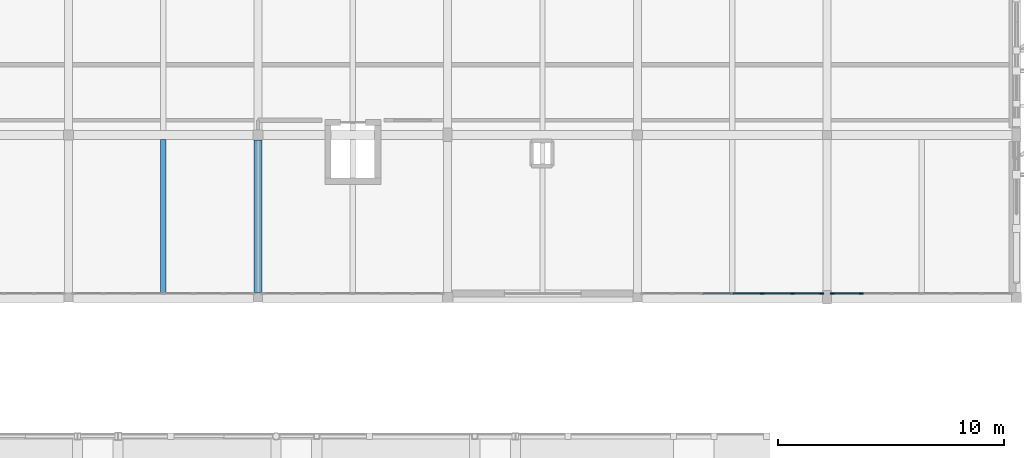
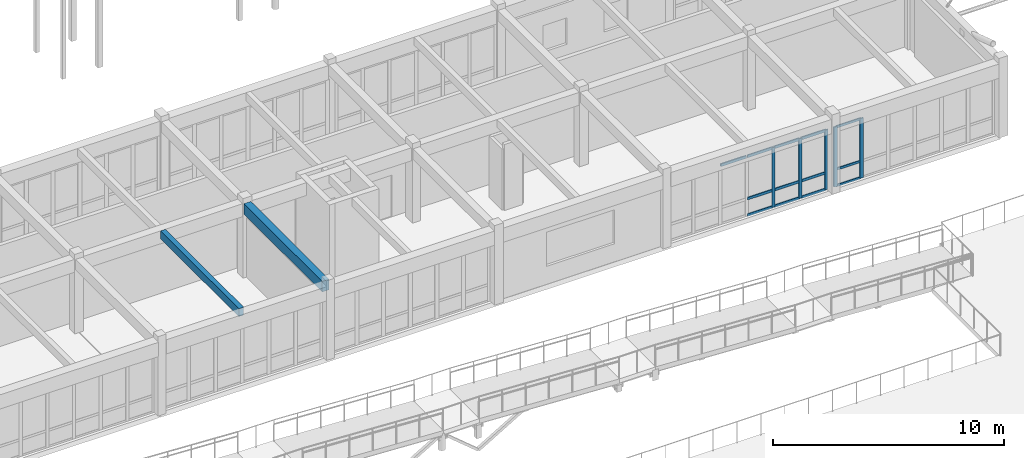
# One storey, part 44 of 89: 18 members, 2 beams, 2 elements without a shape of their own.
"""IFC4 building model written with IfcOpenShell, lengths in metres."""

from ifc_helpers import new_model, si_unit, direction, frame, origin, origin_2d, place, context, subcontext, project, spatial, rectangle, extrude, material, material_profile, profile_set, type_object, element, aggregate, save


model = new_model("IFC4")

# Units and contexts
model_context = context("Model", 3, precision=1e-05, world=origin(), true_north=direction((0.0, 1.0)))
body_context = subcontext(model_context, "Body", "Model", "MODEL_VIEW")
ifc_project = project(units=[si_unit("LENGTHUNIT", "METRE"), si_unit("AREAUNIT", "SQUARE_METRE"), si_unit("VOLUMEUNIT", "CUBIC_METRE"), si_unit("PLANEANGLEUNIT", "RADIAN"), si_unit("MASSUNIT", "GRAM", prefix="KILO")], contexts=[model_context])

# Site, building, storey
site_placement = place(None, origin())
site = spatial("IfcSite", under=ifc_project, at=site_placement, CompositionType="ELEMENT")
building_placement = place(site_placement, origin())
building = spatial("IfcBuilding", under=site, at=building_placement, Name="Malvenik Polytechnic", CompositionType="ELEMENT")
storey_placement = place(building_placement, frame((0.0, 0.0, 13.5)))
storey = spatial("IfcBuildingStorey", under=building, at=storey_placement, Name="L03", CompositionType="ELEMENT", Elevation=13.5)

# Curtain wall, members
ifc_material_1 = material(Name="Anodised aluminium 6060-T6", Category="aluminium")
curtain_wall_type = type_object("IfcCurtainWallType", Name="ARC-CW-CW-02", PredefinedType="NOTDEFINED", material=ifc_material_1)
curtain_wall_1_placement = place(storey_placement, origin())
curtain_wall_1 = element("IfcCurtainWall", 1, at=curtain_wall_1_placement, inside=storey, type_object=curtain_wall_type, Name="Unitised Curtain Wall CW-02 L03 #194", PredefinedType="NOTDEFINED")
ifc_material_2 = material(Name="Anodised aluminium", Category="aluminium")
ifc_material_profile_1 = material_profile(ifc_material_2, rectangle(XDim=0.06005859375, YDim=0.159912109375, at=origin_2d()), Name="ALU MULLION 60x160")
ifc_profile_set_1 = profile_set([ifc_material_profile_1], Name="Anodised aluminium")
member_type_1 = type_object("IfcMemberType", Name="ARC-CWM-160", PredefinedType="MULLION", material=ifc_profile_set_1)
member_1_placement = place(storey_placement, frame((125.77197265625, 79.3701171875, 0.0), z_axis=(0.0, 0.0, 1.0), x_axis=(0.0, -1.0, 0.0)))
member_1 = element("IfcMember", 2, at=member_1_placement, type_object=member_type_1, Name="CW-02 mullion 1", PredefinedType="MULLION", context=body_context, shape_type="SweptSolid", body=[
    extrude(rectangle(XDim=0.06005859375, YDim=0.159912109375, at=origin_2d()), origin(), (0.0, 0.0, 1.0), 3.159912109375),
])
member_2_placement = place(storey_placement, frame((124.468017578125, 79.3701171875, 0.0), z_axis=(0.0, 0.0, 1.0), x_axis=(0.0, -1.0, 0.0)))
member_2 = element("IfcMember", 3, at=member_2_placement, type_object=member_type_1, Name="CW-02 mullion 2", PredefinedType="MULLION", context=body_context, shape_type="SweptSolid", body=[
    extrude(rectangle(XDim=0.06005859375, YDim=0.159912109375, at=origin_2d()), origin(), (0.0, 0.0, 1.0), 3.159912109375),
])
member_3_placement = place(storey_placement, frame((123.134033203125, 79.3701171875, 0.0), z_axis=(0.0, 0.0, 1.0), x_axis=(0.0, -1.0, 0.0)))
member_3 = element("IfcMember", 4, at=member_3_placement, type_object=member_type_1, Name="CW-02 mullion 3", PredefinedType="MULLION", context=body_context, shape_type="SweptSolid", body=[
    extrude(rectangle(XDim=0.06005859375, YDim=0.159912109375, at=origin_2d()), origin(), (0.0, 0.0, 1.0), 3.159912109375),
])

curtain_wall_2_placement = place(storey_placement, origin())
curtain_wall_2 = element("IfcCurtainWall", 5, at=curtain_wall_2_placement, inside=storey, type_object=curtain_wall_type, Name="Unitised Curtain Wall CW-02 L03 #193", PredefinedType="NOTDEFINED")
ifc_material_profile_2 = material_profile(ifc_material_2, rectangle(XDim=0.06005859375, YDim=0.179931640625, at=origin_2d()), Name="ALU MULLION 60x180")
ifc_profile_set_2 = profile_set([ifc_material_profile_2], Name="Anodised aluminium")
member_type_2 = type_object("IfcMemberType", Name="ARC-CWM-180", PredefinedType="MULLION", material=ifc_profile_set_2)
member_4_placement = place(storey_placement, frame((127.52783203125, 79.3701171875, 0.0), z_axis=(0.0, 0.0, 1.0), x_axis=(0.0, -1.0, 0.0)))
member_4 = element("IfcMember", 6, at=member_4_placement, type_object=member_type_2, Name="CW-02 mullion 6", PredefinedType="MULLION", context=body_context, shape_type="SweptSolid", body=[
    extrude(rectangle(XDim=0.06005859375, YDim=0.179931640625, at=origin_2d()), origin(), (0.0, 0.0, 1.0), 3.159912109375),
])
member_5_placement = place(storey_placement, frame((126.22802734375, 79.3701171875, 0.0), z_axis=(0.0, 0.0, 1.0), x_axis=(0.0, -1.0, 0.0)))
member_5 = element("IfcMember", 7, at=member_5_placement, type_object=member_type_2, Name="CW-02 mullion 7", PredefinedType="MULLION", context=body_context, shape_type="SweptSolid", body=[
    extrude(rectangle(XDim=0.06005859375, YDim=0.179931640625, at=origin_2d()), origin(), (0.0, 0.0, 1.0), 3.159912109375),
])
ifc_material_profile_3 = material_profile(ifc_material_2, rectangle(XDim=0.06005859375, YDim=0.1201171875, at=origin_2d()), Name="ALU TRANSOM 60x120")
ifc_profile_set_3 = profile_set([ifc_material_profile_3], Name="Anodised aluminium")
member_type_3 = type_object("IfcMemberType", Name="ARC-CWT-120", PredefinedType="USERDEFINED", material=ifc_profile_set_3)
member_6_placement = place(storey_placement, frame((127.497802734375, 79.3701171875, 0.030029296875), z_axis=(-1.0, 0.0, 0.0), x_axis=(0.0, -1.0, 0.0)))
member_6 = element("IfcMember", 8, at=member_6_placement, type_object=member_type_3, Name="CW-02 transom 6.1", ObjectType="TRANSOM", PredefinedType="USERDEFINED", context=body_context, shape_type="SweptSolid", body=[
    extrude(rectangle(XDim=0.06005859375, YDim=0.1201171875, at=origin_2d()), origin(), (0.0, 0.0, 1.0), 1.23974609375),
])
member_7_placement = place(storey_placement, frame((127.497802734375, 79.3701171875, 0.89990234375), z_axis=(-1.0, 0.0, 0.0), x_axis=(0.0, -1.0, 0.0)))
member_7 = element("IfcMember", 9, at=member_7_placement, type_object=member_type_3, Name="CW-02 transom 6.2", ObjectType="TRANSOM", PredefinedType="USERDEFINED", context=body_context, shape_type="SweptSolid", body=[
    extrude(rectangle(XDim=0.06005859375, YDim=0.1201171875, at=origin_2d()), origin(), (0.0, 0.0, 1.0), 1.23974609375),
])
member_8_placement = place(storey_placement, frame((127.497802734375, 79.3701171875, 3.1298828125), z_axis=(-1.0, 0.0, 0.0), x_axis=(0.0, -1.0, 0.0)))
member_8 = element("IfcMember", 10, at=member_8_placement, type_object=member_type_3, Name="CW-02 transom 6.3", ObjectType="TRANSOM", PredefinedType="USERDEFINED", context=body_context, shape_type="SweptSolid", body=[
    extrude(rectangle(XDim=0.06005859375, YDim=0.1201171875, at=origin_2d()), origin(), (0.0, 0.0, 1.0), 1.23974609375),
])
aggregate(curtain_wall_2, [member_4, member_5, member_6, member_7, member_8])

# Member
ifc_material_profile_4 = material_profile(ifc_material_2, rectangle(XDim=0.06005859375, YDim=0.139892578125, at=origin_2d()), Name="ALU TRANSOM 60x140")
ifc_profile_set_4 = profile_set([ifc_material_profile_4], Name="Anodised aluminium")
member_type_4 = type_object("IfcMemberType", Name="ARC-CWT-140", PredefinedType="USERDEFINED", material=ifc_profile_set_4)
member_9_placement = place(storey_placement, frame((125.741943359375, 79.3701171875, 0.030029296875), z_axis=(-1.0, 0.0, 0.0), x_axis=(0.0, -1.0, 0.0)))
member_9 = element("IfcMember", 11, at=member_9_placement, type_object=member_type_4, Name="CW-02 transom 1.1", ObjectType="TRANSOM", PredefinedType="USERDEFINED", context=body_context, shape_type="SweptSolid", body=[
    extrude(rectangle(XDim=0.06005859375, YDim=0.139892578125, at=origin_2d()), origin(), (0.0, 0.0, 1.0), 1.243896484375),
])

member_10_placement = place(storey_placement, frame((125.741943359375, 79.3701171875, 0.89990234375), z_axis=(-1.0, 0.0, 0.0), x_axis=(0.0, -1.0, 0.0)))
member_10 = element("IfcMember", 12, at=member_10_placement, type_object=member_type_4, Name="CW-02 transom 1.2", ObjectType="TRANSOM", PredefinedType="USERDEFINED", context=body_context, shape_type="SweptSolid", body=[
    extrude(rectangle(XDim=0.06005859375, YDim=0.139892578125, at=origin_2d()), origin(), (0.0, 0.0, 1.0), 1.243896484375),
])

member_11_placement = place(storey_placement, frame((125.741943359375, 79.3701171875, 3.1298828125), z_axis=(-1.0, 0.0, 0.0), x_axis=(0.0, -1.0, 0.0)))
member_11 = element("IfcMember", 13, at=member_11_placement, type_object=member_type_4, Name="CW-02 transom 1.3", ObjectType="TRANSOM", PredefinedType="USERDEFINED", context=body_context, shape_type="SweptSolid", body=[
    extrude(rectangle(XDim=0.06005859375, YDim=0.139892578125, at=origin_2d()), origin(), (0.0, 0.0, 1.0), 1.243896484375),
])

member_12_placement = place(storey_placement, frame((124.43798828125, 79.3701171875, 0.030029296875), z_axis=(-1.0, 0.0, 0.0), x_axis=(0.0, -1.0, 0.0)))
member_12 = element("IfcMember", 14, at=member_12_placement, type_object=member_type_4, Name="CW-02 transom 2.1", ObjectType="TRANSOM", PredefinedType="USERDEFINED", context=body_context, shape_type="SweptSolid", body=[
    extrude(rectangle(XDim=0.06005859375, YDim=0.139892578125, at=origin_2d()), origin(), (0.0, 0.0, 1.0), 1.27392578125),
])

member_13_placement = place(storey_placement, frame((124.43798828125, 79.3701171875, 0.89990234375), z_axis=(-1.0, 0.0, 0.0), x_axis=(0.0, -1.0, 0.0)))
member_13 = element("IfcMember", 15, at=member_13_placement, type_object=member_type_4, Name="CW-02 transom 2.2", ObjectType="TRANSOM", PredefinedType="USERDEFINED", context=body_context, shape_type="SweptSolid", body=[
    extrude(rectangle(XDim=0.06005859375, YDim=0.139892578125, at=origin_2d()), origin(), (0.0, 0.0, 1.0), 1.27392578125),
])

member_14_placement = place(storey_placement, frame((124.43798828125, 79.3701171875, 3.1298828125), z_axis=(-1.0, 0.0, 0.0), x_axis=(0.0, -1.0, 0.0)))
member_14 = element("IfcMember", 16, at=member_14_placement, type_object=member_type_4, Name="CW-02 transom 2.3", ObjectType="TRANSOM", PredefinedType="USERDEFINED", context=body_context, shape_type="SweptSolid", body=[
    extrude(rectangle(XDim=0.06005859375, YDim=0.139892578125, at=origin_2d()), origin(), (0.0, 0.0, 1.0), 1.27392578125),
])

member_15_placement = place(storey_placement, frame((123.10400390625, 79.3701171875, 0.030029296875), z_axis=(-1.0, 0.0, 0.0), x_axis=(0.0, -1.0, 0.0)))
member_15 = element("IfcMember", 17, at=member_15_placement, type_object=member_type_4, Name="CW-02 transom 3.1", ObjectType="TRANSOM", PredefinedType="USERDEFINED", context=body_context, shape_type="SweptSolid", body=[
    extrude(rectangle(XDim=0.06005859375, YDim=0.139892578125, at=origin_2d()), origin(), (0.0, 0.0, 1.0), 1.27392578125),
])

member_16_placement = place(storey_placement, frame((123.10400390625, 79.3701171875, 0.89990234375), z_axis=(-1.0, 0.0, 0.0), x_axis=(0.0, -1.0, 0.0)))
member_16 = element("IfcMember", 18, at=member_16_placement, type_object=member_type_4, Name="CW-02 transom 3.2", ObjectType="TRANSOM", PredefinedType="USERDEFINED", context=body_context, shape_type="SweptSolid", body=[
    extrude(rectangle(XDim=0.06005859375, YDim=0.139892578125, at=origin_2d()), origin(), (0.0, 0.0, 1.0), 1.27392578125),
])

member_17_placement = place(storey_placement, frame((123.10400390625, 79.3701171875, 3.1298828125), z_axis=(-1.0, 0.0, 0.0), x_axis=(0.0, -1.0, 0.0)))
member_17 = element("IfcMember", 19, at=member_17_placement, type_object=member_type_4, Name="CW-02 transom 3.3", ObjectType="TRANSOM", PredefinedType="USERDEFINED", context=body_context, shape_type="SweptSolid", body=[
    extrude(rectangle(XDim=0.06005859375, YDim=0.139892578125, at=origin_2d()), origin(), (0.0, 0.0, 1.0), 1.27392578125),
])

member_18_placement = place(storey_placement, frame((121.77001953125, 79.3701171875, 3.1298828125), z_axis=(-1.0, 0.0, 0.0), x_axis=(0.0, -1.0, 0.0)))
member_18 = element("IfcMember", 20, at=member_18_placement, type_object=member_type_4, Name="CW-02 transom 4.3", ObjectType="TRANSOM", PredefinedType="USERDEFINED", context=body_context, shape_type="SweptSolid", body=[
    extrude(rectangle(XDim=0.06005859375, YDim=0.139892578125, at=origin_2d()), origin(), (0.0, 0.0, 1.0), 1.27392578125),
])

aggregate(curtain_wall_1, [member_1, member_2, member_3, member_9, member_10, member_11, member_12, member_13, member_14, member_15, member_16, member_17, member_18])

# Beams
ifc_material_3 = material(Name="Concrete C35/45", Category="concrete")
ifc_material_profile_5 = material_profile(ifc_material_3, rectangle(XDim=0.35009765625, YDim=0.550048828125, at=origin_2d()), Name="RC BM 350x550")
ifc_profile_set_5 = profile_set([ifc_material_profile_5], Name="Concrete C35/45")
beam_type_1 = type_object("IfcBeamType", Name="STR-BM-B-08", PredefinedType="BEAM", material=ifc_profile_set_5)
beam_1_placement = place(storey_placement, frame((100.800048828125, 79.39794921875, 3.64501953125), z_axis=(0.0, 1.0, 0.0), x_axis=(-1.0, 0.0, 0.0)))
element("IfcBeam", 21, at=beam_1_placement, inside=storey, type_object=beam_type_1, Name="Transverse Beam B-08 L03 #1766", PredefinedType="BEAM", context=body_context, shape_type="SweptSolid", body=[
    extrude(rectangle(XDim=0.35009765625, YDim=0.550048828125, at=origin_2d()), origin(), (0.0, 0.0, 1.0), 6.779052734375),
])
ifc_material_4 = material(Name="Concrete C30/37", Category="concrete")
ifc_material_profile_6 = material_profile(ifc_material_4, rectangle(XDim=0.239990234375, YDim=0.419921875, at=origin_2d()), Name="RC JST 240x420")
ifc_profile_set_6 = profile_set([ifc_material_profile_6], Name="Concrete C30/37")
beam_type_2 = type_object("IfcBeamType", Name="STR-BM-J-03", PredefinedType="JOIST", material=ifc_profile_set_6)
beam_2_placement = place(storey_placement, frame((96.60009765625, 79.427978515625, 3.7099609375), z_axis=(0.0, 1.0, 0.0), x_axis=(-1.0, 0.0, 0.0)))
element("IfcBeam", 22, at=beam_2_placement, inside=storey, type_object=beam_type_2, Name="Secondary Rib Joist J-03 L03 #1813", PredefinedType="JOIST", context=body_context, shape_type="SweptSolid", body=[
    extrude(rectangle(XDim=0.239990234375, YDim=0.419921875, at=origin_2d()), origin(), (0.0, 0.0, 1.0), 6.77392578125),
])

save(model, "model.ifc")
